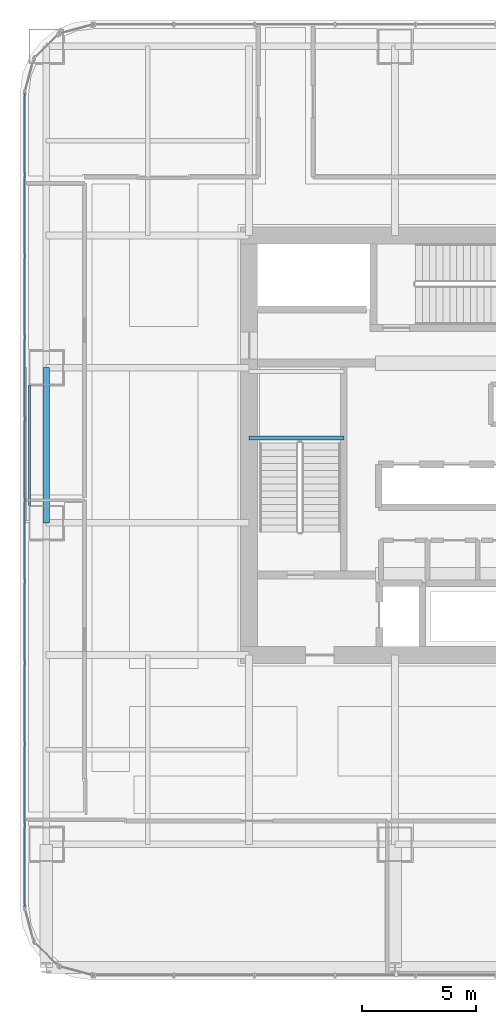
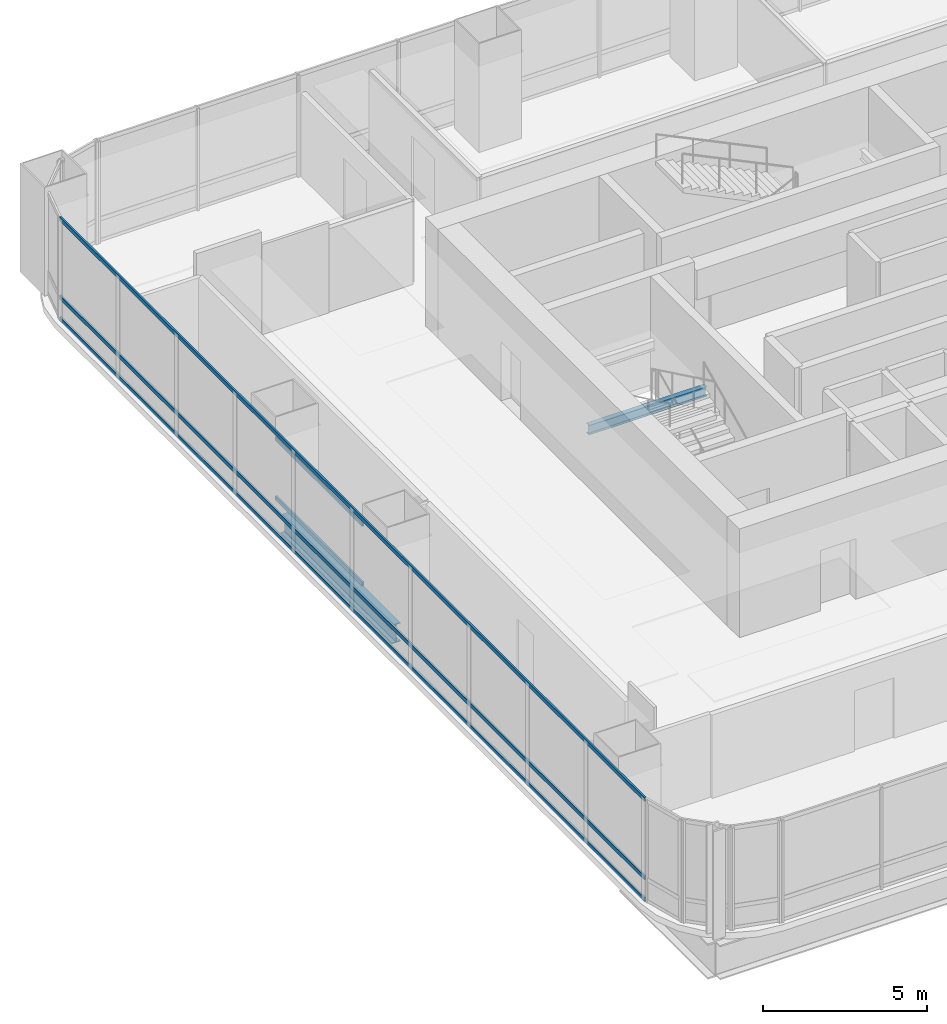
# One storey, part 9 of 35: 5 members, 2 beams, 1 element without a shape of its own.
"""IFC4 building model written with IfcOpenShell, lengths in metres."""

from ifc_helpers import new_model, si_unit, direction, frame, origin, origin_2d, place, context, subcontext, project, spatial, hollow_rectangle, i_section, extrude, material, material_profile, profile_set, type_object, element, aggregate, save


model = new_model("IFC4")

# Units and contexts
model_context = context("Model", 3, precision=1e-05, world=origin(), true_north=direction((0.0, 1.0)))
body_context = subcontext(model_context, "Body", "Model", "MODEL_VIEW")
ifc_project = project(units=[si_unit("LENGTHUNIT", "METRE"), si_unit("AREAUNIT", "SQUARE_METRE"), si_unit("VOLUMEUNIT", "CUBIC_METRE"), si_unit("PLANEANGLEUNIT", "RADIAN"), si_unit("MASSUNIT", "GRAM", prefix="KILO")], contexts=[model_context])

# Site, building, storey
site_placement = place(None, origin())
site = spatial("IfcSite", under=ifc_project, at=site_placement, CompositionType="ELEMENT")
building_placement = place(site_placement, origin())
building = spatial("IfcBuilding", under=site, at=building_placement, Name="Punatoya Terracotta Tower", CompositionType="ELEMENT")
storey_placement = place(building_placement, frame((0.0, 0.0, 68.699951171875)))
storey = spatial("IfcBuildingStorey", under=building, at=storey_placement, Name="L15", CompositionType="ELEMENT", Elevation=68.699951171875)

# Beams
ifc_material_1 = material(Name="Steel S355", Category="steel")
ifc_material_profile_1 = material_profile(ifc_material_1, i_section(OverallWidth=0.300048828125, OverallDepth=0.699951171875, WebThickness=0.01708984375, FlangeThickness=0.031982421875, FilletRadius=0.01806640625, at=origin_2d()))
ifc_profile_set_1 = profile_set([ifc_material_profile_1], Name="Steel S355")
beam_type_1 = type_object("IfcBeamType", Name="BM-PRI-700", PredefinedType="BEAM", material=ifc_profile_set_1)
beam_1_placement = place(storey_placement, frame((-19.10009765625, -3.39990234375, -0.58984375), z_axis=(0.0, 1.0, 0.0), x_axis=(-1.0, 0.0, 0.0)))
element("IfcBeam", 1, at=beam_1_placement, inside=storey, type_object=beam_type_1, Name="BM-L15-RG-W2", PredefinedType="BEAM", context=body_context, shape_type="SweptSolid", body=[
    extrude(i_section(OverallWidth=0.300048828125, OverallDepth=0.699951171875, WebThickness=0.01708984375, FlangeThickness=0.031982421875, FilletRadius=0.01806640625, at=origin_2d()), origin(), (0.0, 0.0, 1.0), 6.7998046875),
])
ifc_material_profile_2 = material_profile(ifc_material_1, i_section(OverallWidth=0.169921875, OverallDepth=0.360107421875, WebThickness=0.008056640625, FlangeThickness=0.0126953125, FilletRadius=0.01806640625, at=origin_2d()))
ifc_profile_set_2 = profile_set([ifc_material_profile_2], Name="Steel S355")
beam_type_2 = type_object("IfcBeamType", Name="BM-SEC-360", PredefinedType="JOIST", material=ifc_profile_set_2)
beam_2_placement = place(storey_placement, frame((-10.199951171875, 0.320068359375, 1.64501953125), z_axis=(1.0, 0.0, 0.0), x_axis=(0.0, 1.0, 0.0)))
element("IfcBeam", 2, at=beam_2_placement, inside=storey, type_object=beam_type_2, Name="BM-L15-ST-1-LD1A", PredefinedType="JOIST", context=body_context, shape_type="SweptSolid", body=[
    extrude(i_section(OverallWidth=0.169921875, OverallDepth=0.360107421875, WebThickness=0.008056640625, FlangeThickness=0.0126953125, FilletRadius=0.01806640625, at=origin_2d()), origin(), (0.0, 0.0, 1.0), 4.14990234375),
])

# Curtain wall, members
ifc_material_2 = material(Name="Aluminium 6063-T6 + Double Low-E Glass", Category="aluminium")
curtain_wall_type = type_object("IfcCurtainWallType", Name="CW-M1", PredefinedType="NOTDEFINED", material=ifc_material_2)
curtain_wall_placement = place(storey_placement, origin())
curtain_wall = element("IfcCurtainWall", 3, at=curtain_wall_placement, inside=storey, type_object=curtain_wall_type, Name="L15 Curtain Wall CW-L15-W13-1", PredefinedType="NOTDEFINED")
ifc_material_3 = material(Name="Aluminium 6063-T6", Category="aluminium")
ifc_material_profile_3 = material_profile(ifc_material_3, hollow_rectangle(XDim=0.068115234375, YDim=0.14990234375, WallThickness=0.00390625, at=origin_2d()))
ifc_profile_set_3 = profile_set([ifc_material_profile_3], Name="Aluminium 6063-T6")
member_type_1 = type_object("IfcMemberType", Name="CW-TRN-TYP", PredefinedType="USERDEFINED", material=ifc_profile_set_3)
member_1_placement = place(storey_placement, frame((-20.050048828125, 15.43701171875, 0.0400390625), z_axis=(0.0, -1.0, 0.0), x_axis=(1.0, 0.0, 0.0)))
member_1 = element("IfcMember", 4, at=member_1_placement, type_object=member_type_1, Name="CW-L15-W13-1 Transom 1", ObjectType="TRANSOM", PredefinedType="USERDEFINED", context=body_context, shape_type="SweptSolid", body=[
    extrude(hollow_rectangle(XDim=0.068115234375, YDim=0.14990234375, WallThickness=0.00390625, at=origin_2d()), origin(), (0.0, 0.0, 1.0), 35.673828125),
])
member_2_placement = place(storey_placement, frame((-20.050048828125, 15.43701171875, 0.85009765625), z_axis=(0.0, -1.0, 0.0), x_axis=(1.0, 0.0, 0.0)))
member_2 = element("IfcMember", 5, at=member_2_placement, type_object=member_type_1, Name="CW-L15-W13-1 Transom 2", ObjectType="TRANSOM", PredefinedType="USERDEFINED", context=body_context, shape_type="SweptSolid", body=[
    extrude(hollow_rectangle(XDim=0.068115234375, YDim=0.14990234375, WallThickness=0.00390625, at=origin_2d()), origin(), (0.0, 0.0, 1.0), 35.673828125),
])
member_3_placement = place(storey_placement, frame((-20.050048828125, 15.43701171875, 3.77001953125), z_axis=(0.0, -1.0, 0.0), x_axis=(1.0, 0.0, 0.0)))
member_3 = element("IfcMember", 6, at=member_3_placement, type_object=member_type_1, Name="CW-L15-W13-1 Transom 3", ObjectType="TRANSOM", PredefinedType="USERDEFINED", context=body_context, shape_type="SweptSolid", body=[
    extrude(hollow_rectangle(XDim=0.068115234375, YDim=0.14990234375, WallThickness=0.00390625, at=origin_2d()), origin(), (0.0, 0.0, 1.0), 35.673828125),
])
aggregate(curtain_wall, [member_1, member_2, member_3])

# Members
ifc_material_profile_4 = material_profile(ifc_material_1, hollow_rectangle(XDim=0.070068359375, YDim=0.139892578125, WallThickness=0.006103515625, at=origin_2d()))
ifc_profile_set_4 = profile_set([ifc_material_profile_4], Name="Steel S355")
member_type_2 = type_object("IfcMemberType", Name="MEM-BAG-RAIL", PredefinedType="USERDEFINED", material=ifc_profile_set_4)
for number, where, z_axis, x_axis, name in (
    (7, (-19.83203125, -2.650390625, 1.050048828125), (0.0, 1.0, 0.0), (-1.0, 0.0, 0.0), "L15 Terracotta Baguette Carrier Rail BAG-L15-W-R1"),
    (8, (-19.83203125, -2.650390625, 3.260009765625), (0.0, 1.0, 0.0), (-1.0, 0.0, 0.0), "L15 Terracotta Baguette Carrier Rail BAG-L15-W-R2"),
):
    element("IfcMember", number, at=place(storey_placement, frame(where, z_axis=z_axis, x_axis=x_axis)), inside=storey, type_object=member_type_2, Name=name, ObjectType="BAGUETTE", PredefinedType="USERDEFINED", context=body_context, shape_type="SweptSolid", body=[
        extrude(hollow_rectangle(XDim=0.070068359375, YDim=0.139892578125, WallThickness=0.006103515625, at=origin_2d()), origin(), (0.0, 0.0, 1.0), 5.30078125),
    ])

save(model, "model.ifc")
